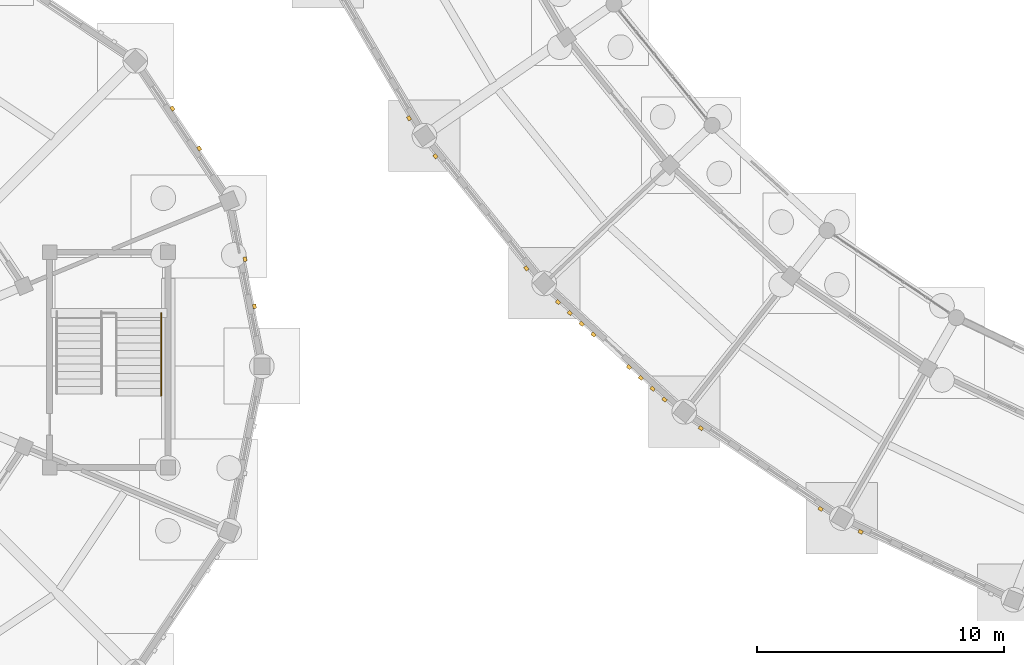
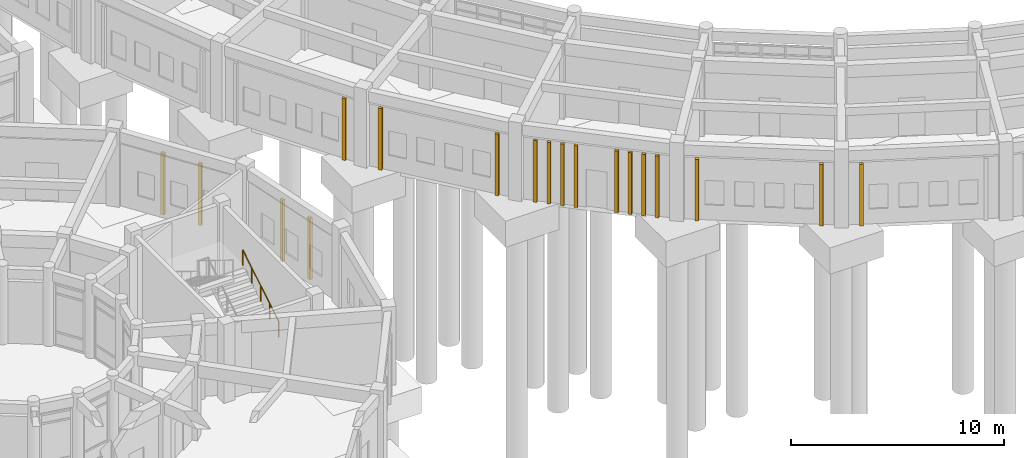
# One storey, part 140 of 153: 18 coverings, 1 railing.
"""IFC4 building model written with IfcOpenShell, lengths in metres."""

from ifc_helpers import new_model, si_unit, direction, frame, origin, origin_2d, place, context, subcontext, project, spatial, rectangle, circle, extrude, material, layer, layer_set, type_object, element, save


model = new_model("IFC4")

# Units and contexts
model_context = context("Model", 3, precision=1e-05, world=origin(), true_north=direction((0.0, 1.0)))
body_context = subcontext(model_context, "Body", "Model", "MODEL_VIEW")
ifc_project = project(units=[si_unit("LENGTHUNIT", "METRE"), si_unit("AREAUNIT", "SQUARE_METRE"), si_unit("VOLUMEUNIT", "CUBIC_METRE"), si_unit("PLANEANGLEUNIT", "RADIAN"), si_unit("MASSUNIT", "GRAM", prefix="KILO")], contexts=[model_context])

# Site, building, storey
site_placement = place(None, origin())
site = spatial("IfcSite", under=ifc_project, at=site_placement, CompositionType="ELEMENT")
building_placement = place(site_placement, origin())
building = spatial("IfcBuilding", under=site, at=building_placement, Name="Celadon Cloister-Ring School", CompositionType="ELEMENT")
storey_placement = place(building_placement, origin())
storey = spatial("IfcBuildingStorey", under=building, at=storey_placement, Name="L00", CompositionType="ELEMENT", Elevation=0.0)

# Coverings
ifc_material_1 = material(Name="Perforated terracotta clay brick masonry", Category="masonry")
ifc_layer = layer(ifc_material_1, 0.139892578125)
ifc_layer_set = layer_set([ifc_layer], Name="Perforated terracotta clay brick masonry")
covering_type = type_object("IfcCoveringType", Name="CV-SC1", PredefinedType="CLADDING", material=ifc_layer_set)
for number, where, z_axis, x_axis, name in (
    (1, (43.6640625, 30.049072265625, 0.0), (0.0, 0.0, 1.0), (-0.507809026694, 0.861469670045, 0.0), "Brick Screen Rib 0033"),
    (2, (48.4169921875, 23.964111328125, 0.0), (0.0, 0.0, 1.0), (-0.629510264842, 0.776992166279, 0.0), "Brick Screen Rib 0035"),
    (3, (44.73388671875, 28.510009765625, 0.0), (0.0, 0.0, 1.0), (-0.629510264842, 0.776992166279, 0.0), "Brick Screen Rib 0036"),
    (4, (54.01708984375, 18.64892578125, 0.0), (0.0, 0.0, 1.0), (-0.737501330465, 0.67534568005, 0.0), "Brick Screen Rib 0037"),
    (5, (53.537109375, 19.087890625, 0.0), (0.0, 0.0, 1.0), (-0.737501330465, 0.67534568005, 0.0), "Brick Screen Rib 0038"),
    (6, (53.05810546875, 19.527099609375, 0.0), (0.0, 0.0, 1.0), (-0.737501330465, 0.67534568005, 0.0), "Brick Screen Rib 0039"),
    (7, (52.5791015625, 19.965087890625, 0.0), (0.0, 0.0, 1.0), (-0.737501330465, 0.67534568005, 0.0), "Brick Screen Rib 0040"),
    (8, (51.139892578125, 21.281982421875, 0.0), (0.0, 0.0, 1.0), (-0.737501330465, 0.67534568005, 0.0), "Brick Screen Rib 0041"),
    (9, (50.660888671875, 21.720947265625, 0.0), (0.0, 0.0, 1.0), (-0.737501330465, 0.67534568005, 0.0), "Brick Screen Rib 0042"),
    (10, (50.181884765625, 22.159912109375, 0.0), (0.0, 0.0, 1.0), (-0.737501330465, 0.67534568005, 0.0), "Brick Screen Rib 0043"),
    (11, (49.701904296875, 22.59912109375, 0.0), (0.0, 0.0, 1.0), (-0.737501330465, 0.67534568005, 0.0), "Brick Screen Rib 0044"),
    (12, (60.340087890625, 14.218017578125, 0.0), (0.0, 0.0, 1.0), (-0.829193696345, 0.558961370706, 0.0), "Brick Screen Rib 0045"),
    (13, (55.489990234375, 17.488037109375, 0.0), (0.0, 0.0, 1.0), (-0.829193696345, 0.558961370706, 0.0), "Brick Screen Rib 0046"),
    (14, (61.968017578125, 13.2880859375, 0.0), (0.0, 0.0, 1.0), (-0.90274301428, 0.430180253114, 0.0), "Brick Screen Rib 0048"),
    (15, (37.01708984375, 24.339111328125, 0.0), (0.0, 0.0, 1.0), (0.195141675546, -0.980775064153, 0.0), "Brick Screen Rib 0568"),
    (16, (37.39794921875, 22.427001953125, 0.0), (0.0, 0.0, 1.0), (0.195141675546, -0.980775064153, 0.0), "Brick Screen Rib 0569"),
    (17, (34.075927734375, 30.444091796875, 0.0), (0.0, 0.0, 1.0), (0.555686322663, -0.831392031959, 0.0), "Brick Screen Rib 0570"),
    (18, (35.159912109375, 28.822998046875, 0.0), (0.0, 0.0, 1.0), (0.555686322663, -0.831392031959, 0.0), "Brick Screen Rib 0571"),
):
    element("IfcCovering", number, at=place(storey_placement, frame(where, z_axis=z_axis, x_axis=x_axis)), inside=storey, type_object=covering_type, Name=name, PredefinedType="CLADDING", context=body_context, shape_type="SweptSolid", body=[
        extrude(rectangle(XDim=0.179931640625, YDim=0.139892578125, at=origin_2d()), origin(), (0.0, 0.0, 1.0), 3.530029296875),
    ])

# Railing
ifc_material_2 = material(Name="Structural steel S355JR", Category="steel")
railing_type = type_object("IfcRailingType", Name="RL-HR1", PredefinedType="HANDRAIL", material=ifc_material_2)
railing_placement = place(storey_placement, frame((33.614990234375, 18.800048828125, 0.18798828125)))
element("IfcRailing", 19, at=railing_placement, inside=storey, type_object=railing_type, Name="Stair Handrail 0092", PredefinedType="HANDRAIL", context=body_context, shape_type="SweptSolid", body=[
    extrude(circle(Radius=0.02099609375, at=origin_2d()), frame((0.0, 0.0, 0.87890625), z_axis=(0.0, 0.85195193322, 0.523619999125), x_axis=(-1.0, 0.0, 0.0)), (0.0, 0.0, 1.0), 3.93798828125),
    extrude(circle(Radius=0.01806640625, at=origin_2d()), origin(), (0.0, 0.0, 1.0), 0.85791015625),
    extrude(circle(Radius=0.01806640625, at=origin_2d()), frame((0.0, 0.8388671875, 0.515625)), (0.0, 0.0, 1.0), 0.85791015625),
    extrude(circle(Radius=0.01806640625, at=origin_2d()), frame((0.0, 1.677490234375, 1.031005859375)), (0.0, 0.0, 1.0), 0.85791015625),
    extrude(circle(Radius=0.01806640625, at=origin_2d()), frame((0.0, 2.51611328125, 1.54638671875)), (0.0, 0.0, 1.0), 0.85791015625),
    extrude(circle(Radius=0.01806640625, at=origin_2d()), frame((0.0, 3.35498046875, 2.06201171875)), (0.0, 0.0, 1.0), 0.85791015625),
])

save(model, "model.ifc")
